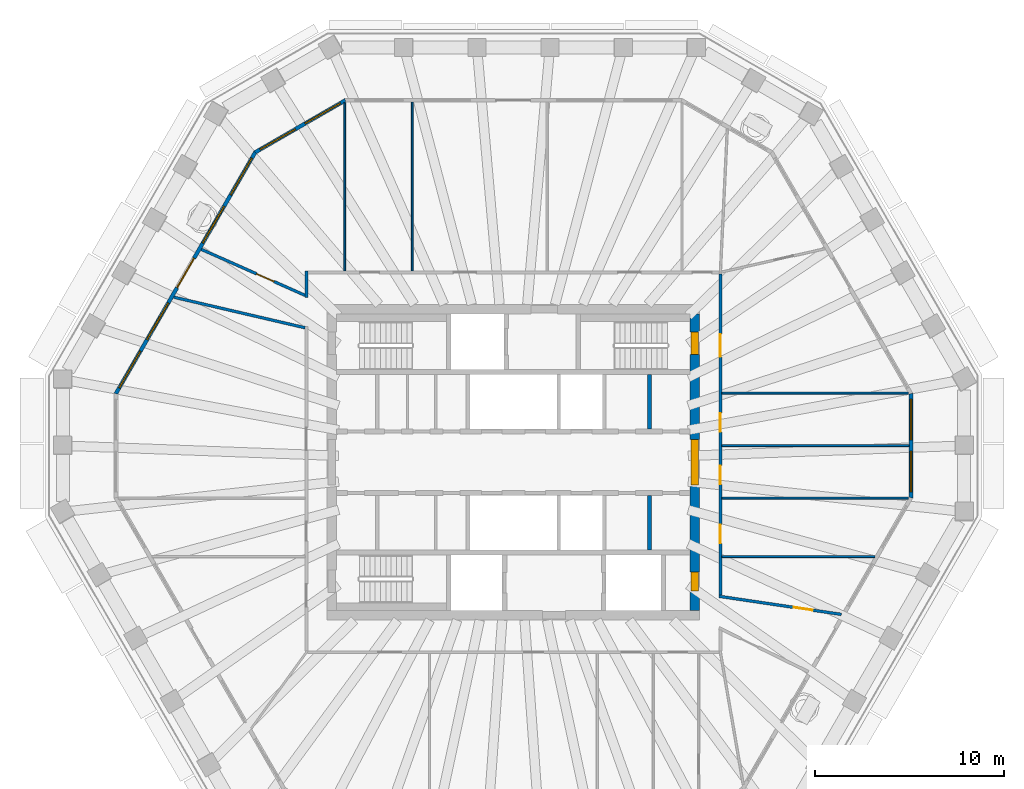
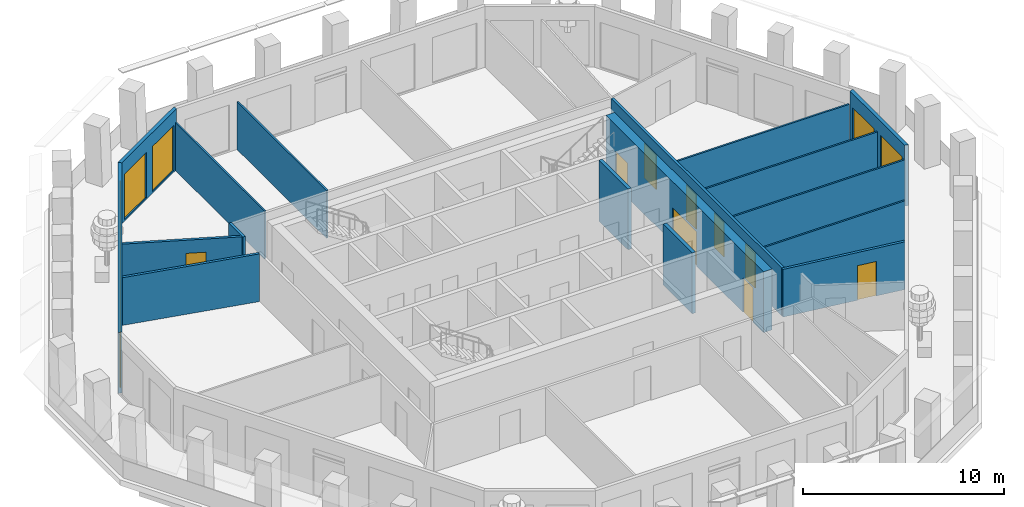
# One storey, part 6 of 12: 17 walls, 10 doors, 9 windows, 19 openings.
"""IFC4 building model written with IfcOpenShell, lengths in metres."""

import ifcopenshell
import ifcopenshell.guid

model = None  # the IFC model being written
_history = None  # IfcOwnerHistory: only IFC2X3 demands one
_inside = {}  # id of a spatial element -> (the spatial element, [elements in it])
_under = {}  # id of a project, library or spatial element -> (it, [spatial elements below it])
_declared = {}  # id of a project -> (the project, [libraries it declares])
_typed = {}  # id of a type object -> (the type object, [elements of that type])
_made_of = {}  # id of a material, layer set ... -> (it, [elements and type objects made of it])


def new_model(schema):
    """Start an empty IFC model of exactly this schema.

    Asked for "IFC4X3", IfcOpenShell would pick the latest addendum, in which some entities
    have other attributes; the version numbers below select the first issue.
    IFC2X3 requires an IfcOwnerHistory on every rooted entity: one is made here for all.
    """
    global model, _history
    if schema == "IFC4X3":
        model = ifcopenshell.file(schema_version=(4, 3, 0, 0))
    else:
        model = ifcopenshell.file(schema=schema)
    _inside.clear()
    _under.clear()
    _declared.clear()
    _typed.clear()
    _made_of.clear()
    _history = None
    if model.schema == "IFC2X3":
        org = make("IfcOrganization", Name="unknown")
        user = make(
            "IfcPersonAndOrganization",
            ThePerson=make("IfcPerson", FamilyName="unknown"),
            TheOrganization=org,
        )
        app = make(
            "IfcApplication",
            ApplicationDeveloper=org,
            Version="unknown",
            ApplicationFullName="unknown",
            ApplicationIdentifier="unknown",
        )
        _history = make(
            "IfcOwnerHistory",
            OwningUser=user,
            OwningApplication=app,
            ChangeAction="ADDED",
            CreationDate=0,
        )
    return model


def make(cls, **values):
    """One entity of the class cls with the attributes given. An attribute that is None is left unset."""
    return model.create_entity(
        cls, **{name: value for name, value in values.items() if value is not None}
    )


def rooted(cls, **values):
    """An entity with a GlobalId (a new one), such as an element, a storey or a relation."""
    return make(cls, GlobalId=ifcopenshell.guid.new(), OwnerHistory=_history, **values)


def si_unit(unit_type, name, prefix=None):
    """IfcSIUnit, for example si_unit("LENGTHUNIT", "METRE", prefix="MILLI")."""
    return make("IfcSIUnit", UnitType=unit_type, Prefix=prefix, Name=name)


def assignment(units):
    """IfcUnitAssignment: the units of a project."""
    return None if units is None else make("IfcUnitAssignment", Units=units)


def point(xyz):
    """IfcCartesianPoint."""
    return None if xyz is None else make("IfcCartesianPoint", Coordinates=xyz)


def direction(xyz):
    """IfcDirection."""
    return None if xyz is None else make("IfcDirection", DirectionRatios=xyz)


def frame(location, z_axis=None, x_axis=None):
    """IfcAxis2Placement3D, a coordinate frame: its origin and axes. An axis left out is left unset."""
    return make(
        "IfcAxis2Placement3D",
        Location=point(location),
        Axis=direction(z_axis),
        RefDirection=direction(x_axis),
    )


def frame_2d(location, x_axis=None):
    """IfcAxis2Placement2D, a coordinate frame in the plane: its origin and x axis."""
    return make(
        "IfcAxis2Placement2D", Location=point(location), RefDirection=direction(x_axis)
    )


def origin():
    """The frame at (0, 0, 0) with its axes left unset."""
    return frame((0.0, 0.0, 0.0))


def place(relative_to, where):
    """IfcLocalPlacement: puts the frame where relative to a parent placement (None: the world)."""
    return make(
        "IfcLocalPlacement", PlacementRelTo=relative_to, RelativePlacement=where
    )


def context(
    kind, dimensions, precision=None, world=None, true_north=None, identifier=None
):
    """IfcGeometricRepresentationContext, for example the 3D "Model" context."""
    return make(
        "IfcGeometricRepresentationContext",
        ContextIdentifier=identifier,
        ContextType=kind,
        CoordinateSpaceDimension=dimensions,
        Precision=precision,
        WorldCoordinateSystem=world,
        TrueNorth=true_north,
    )


def subcontext(parent, identifier, kind, view, scale=None):
    """IfcGeometricRepresentationSubContext, for example "Body" below "Model"."""
    return make(
        "IfcGeometricRepresentationSubContext",
        ContextIdentifier=identifier,
        ContextType=kind,
        ParentContext=parent,
        TargetScale=scale,
        TargetView=view,
    )


def project(units=None, contexts=None):
    """IfcProject with its units and contexts."""
    return rooted(
        "IfcProject",
        Name="project",
        RepresentationContexts=contexts,
        UnitsInContext=assignment(units),
    )


def spatial(cls, under=None, at=None, **own):
    """A site, building, storey or space (cls), placed at a placement, below another one or the project."""
    s = rooted(cls, ObjectPlacement=at, **own)
    if under is not None:
        _under.setdefault(under.id(), (under, []))[1].append(s)
    return s


def polyline(points):
    """IfcPolyline through the points."""
    return make("IfcPolyline", Points=[point(p) for p in points])


def profile(cls, at=None, kind="AREA", **sizes):
    """A parametric profile (cls). Its sizes go by their IFC names, for example OverallWidth=200.0."""
    return make(cls, ProfileType=kind, Position=at, **sizes)


def rectangle(**sizes):
    """IfcRectangleProfileDef."""
    return profile("IfcRectangleProfileDef", **sizes)


def outline(outer, holes=None, kind="AREA"):
    """IfcArbitraryClosedProfileDef: a profile drawn as a closed curve; with holes, ...WithVoids."""
    if holes is None:
        return make("IfcArbitraryClosedProfileDef", ProfileType=kind, OuterCurve=outer)
    return make(
        "IfcArbitraryProfileDefWithVoids",
        ProfileType=kind,
        OuterCurve=outer,
        InnerCurves=holes,
    )


def extrude(swept, where, along, depth):
    """IfcExtrudedAreaSolid: the profile swept, set in the frame where, extruded along a direction by depth."""
    return make(
        "IfcExtrudedAreaSolid",
        SweptArea=swept,
        Position=where,
        ExtrudedDirection=direction(along),
        Depth=depth,
    )


def shape(context_of_items, identifier, shape_type, items):
    """IfcShapeRepresentation: the items that make up one representation, for example the "Body"."""
    return make(
        "IfcShapeRepresentation",
        ContextOfItems=context_of_items,
        RepresentationIdentifier=identifier,
        RepresentationType=shape_type,
        Items=items,
    )


def material(Name=None, Category=None):
    """IfcMaterial."""
    return make("IfcMaterial", Name=Name, Category=Category)


def layer(
    of_material, thickness, ventilated=None, Name=None, Category=None, Priority=None
):
    """IfcMaterialLayer: one layer of a wall or slab, of a material (None: an air gap)."""
    return make(
        "IfcMaterialLayer",
        Material=of_material,
        LayerThickness=thickness,
        IsVentilated=ventilated,
        Name=Name,
        Category=Category,
        Priority=Priority,
    )


def layer_set(layers, Name=None):
    """IfcMaterialLayerSet."""
    return make("IfcMaterialLayerSet", MaterialLayers=layers, LayerSetName=Name)


def made_of(thing, what):
    """Note that an element or type object is made of a material, layer set ...; save() writes the relation."""
    if what is not None:
        _made_of.setdefault(what.id(), (what, []))[1].append(thing)
    return thing


def type_object(cls, material=None, **own):
    """A type object (cls), such as IfcWallType, which elements share."""
    return made_of(rooted(cls, **own), material)


def element(
    cls,
    number,
    at=None,
    inside=None,
    cuts=None,
    type_object=None,
    material=None,
    context=None,
    identifier="Body",
    shape_type=None,
    held_by="IfcProductDefinitionShape",
    body=None,
    shapes=None,
    **own,
):
    """One element of the class cls, such as IfcWall. Its Tag is "e" and its number.

    at: its placement. inside: the storey or other place that contains it. cuts: it is an
    opening in that element (IfcRelVoidsElement). A single representation is given by context,
    identifier, shape_type and body (its items); several are given by shapes. held_by: the class
    of the entity that holds the representations. save() writes the other relations.
    """
    e = rooted(cls, Tag="e%d" % number, ObjectPlacement=at, **own)
    if body is not None:
        shapes = [shape(context, identifier, shape_type, body)]
    if shapes is not None:
        e.Representation = make(held_by, Representations=shapes)
    if inside is not None:
        _inside.setdefault(inside.id(), (inside, []))[1].append(e)
    if cuts is not None:
        rooted(
            "IfcRelVoidsElement", RelatingBuildingElement=cuts, RelatedOpeningElement=e
        )
    if type_object is not None:
        _typed.setdefault(type_object.id(), (type_object, []))[1].append(e)
    return made_of(e, material)


def fill(opening, filler):
    """IfcRelFillsElement: the door or window that sits in an opening."""
    return rooted(
        "IfcRelFillsElement",
        RelatingOpeningElement=opening,
        RelatedBuildingElement=filler,
    )


def aggregate(whole, parts):
    """IfcRelAggregates: a whole, such as a stair, and the parts it consists of."""
    return rooted("IfcRelAggregates", RelatingObject=whole, RelatedObjects=parts)


def save(model, path):
    """Write the relations noted so far, then the file.

    IfcRelAggregates (storeys below a building ...), IfcRelContainedInSpatialStructure (elements
    in a storey), IfcRelDefinesByType, IfcRelAssociatesMaterial and IfcRelDeclares: one each for
    every whole, place, type object, material and project.
    """
    for whole, parts in _under.values():
        aggregate(whole, parts)
    for where, things in _inside.values():
        rooted(
            "IfcRelContainedInSpatialStructure",
            RelatedElements=things,
            RelatingStructure=where,
        )
    for kind, things in _typed.values():
        rooted("IfcRelDefinesByType", RelatedObjects=things, RelatingType=kind)
    for what, things in _made_of.values():
        rooted("IfcRelAssociatesMaterial", RelatedObjects=things, RelatingMaterial=what)
    for by, libraries in _declared.values():
        rooted("IfcRelDeclares", RelatingContext=by, RelatedDefinitions=libraries)
    model.write(path)


model = new_model("IFC4")

# Units and contexts
model_context = context("Model", 3, precision=1e-05, world=origin(), true_north=direction((0.0, 1.0)))
body_context = subcontext(model_context, "Body", "Model", "MODEL_VIEW")
ifc_project = project(units=[si_unit("LENGTHUNIT", "METRE"), si_unit("AREAUNIT", "SQUARE_METRE"), si_unit("VOLUMEUNIT", "CUBIC_METRE"), si_unit("PLANEANGLEUNIT", "RADIAN"), si_unit("MASSUNIT", "GRAM", prefix="KILO")], contexts=[model_context])

# Site, building, storey
site_placement = place(None, origin())
site = spatial("IfcSite", under=ifc_project, at=site_placement, CompositionType="ELEMENT")
building_placement = place(site_placement, origin())
building = spatial("IfcBuilding", under=site, at=building_placement, Name="Frailejon Research Tower", CompositionType="ELEMENT")
storey_placement = place(building_placement, frame((0.0, 0.0, 291.0)))
storey = spatial("IfcBuildingStorey", under=building, at=storey_placement, Name="L64", CompositionType="ELEMENT", Elevation=291.0)

# Wall, openings, doors
ifc_material_1 = material(Name="Concrete C50/60", Category="concrete")
ifc_layer_1 = layer(ifc_material_1, 0.5)
ifc_layer_set_1 = layer_set([ifc_layer_1], Name="Core shear wall 500 C50/60")
wall_type_1 = type_object("IfcWallType", Name="Core shear wall 500 C50/60", PredefinedType="SHEAR", material=ifc_layer_set_1)
wall_1_placement = place(storey_placement, frame((9.60009765625, -7.85009765625, 0.0), z_axis=(0.0, 0.0, 1.0), x_axis=(0.0, 1.0, 0.0)))
wall_1 = element("IfcWall", 1, at=wall_1_placement, inside=storey, type_object=wall_type_1, Name="Core shear wall", PredefinedType="SHEAR", context=body_context, shape_type="SweptSolid", body=[
    extrude(rectangle(XDim=15.7001953125, YDim=0.5, at=frame_2d((7.85009765625, 0.0))), origin(), (0.0, 0.0, 1.0), 3.699951171875),
])
opening_1_placement = place(wall_1_placement, frame((6.64990234375, 0.0, 0.0)))
opening_1 = element("IfcOpeningElement", 2, at=opening_1_placement, cuts=wall_1, Name="Opening D2", PredefinedType="OPENING", context=body_context, shape_type="SweptSolid", body=[
    extrude(rectangle(XDim=2.39990234375, YDim=2.10009765625, at=frame_2d((1.199951171875, 1.050048828125))), frame((0.0, 0.260009765625, 0.0), z_axis=(0.0, -1.0, 0.0), x_axis=(1.0, 0.0, 0.0)), (0.0, 0.0, 1.0), 0.52001953125),
])
opening_2_placement = place(wall_1_placement, frame((13.550048828125, 0.0, 0.0)))
opening_2 = element("IfcOpeningElement", 3, at=opening_2_placement, cuts=wall_1, Name="Opening D1", PredefinedType="OPENING", context=body_context, shape_type="SweptSolid", body=[
    extrude(rectangle(XDim=1.199951171875, YDim=2.10009765625, at=frame_2d((0.60009765625, 1.050048828125))), frame((0.0, 0.260009765625, 0.0), z_axis=(0.0, -1.0, 0.0), x_axis=(1.0, 0.0, 0.0)), (0.0, 0.0, 1.0), 0.52001953125),
])
opening_3_placement = place(wall_1_placement, frame((1.050048828125, 0.0, 0.0)))
opening_3 = element("IfcOpeningElement", 4, at=opening_3_placement, cuts=wall_1, Name="Opening D4", PredefinedType="OPENING", context=body_context, shape_type="SweptSolid", body=[
    extrude(rectangle(XDim=1.0, YDim=2.10009765625, at=frame_2d((0.5, 1.050048828125))), frame((0.0, 0.260009765625, 0.0), z_axis=(0.0, -1.0, 0.0), x_axis=(1.0, 0.0, 0.0)), (0.0, 0.0, 1.0), 0.52001953125),
])
ifc_material_2 = material(Name="Steel", Category="steel")
door_type_1 = type_object("IfcDoorType", Name="Lobby double door", OperationType="DOUBLE_DOOR_SINGLE_SWING", PredefinedType="DOOR", material=ifc_material_2)
door_1_placement = place(opening_1_placement, origin())
door_1 = element("IfcDoor", 5, at=door_1_placement, inside=storey, type_object=door_type_1, Name="Lobby door", OperationType="DOUBLE_DOOR_SINGLE_SWING", OverallHeight=2.10009765625, OverallWidth=2.39990234375, PredefinedType="DOOR", context=body_context, shape_type="SweptSolid", body=[
    extrude(rectangle(XDim=2.39990234375, YDim=2.10009765625, at=frame_2d((1.199951171875, 1.050048828125))), frame((0.0, 0.199951171875, 0.0), z_axis=(0.0, -1.0, 0.0), x_axis=(1.0, 0.0, 0.0)), (0.0, 0.0, 1.0), 0.39990234375),
])
fill(opening_1, door_1)
ifc_material_3 = material(Name="Steel", Category="steel")
door_type_2 = type_object("IfcDoorType", Name="Service door", OperationType="SINGLE_SWING_LEFT", PredefinedType="DOOR", material=ifc_material_3)
door_2_placement = place(opening_3_placement, origin())
door_2 = element("IfcDoor", 6, at=door_2_placement, inside=storey, type_object=door_type_2, Name="Riser door", OperationType="SINGLE_SWING_RIGHT", OverallHeight=2.10009765625, OverallWidth=1.0, PredefinedType="DOOR", context=body_context, shape_type="SweptSolid", body=[
    extrude(rectangle(XDim=1.0, YDim=2.10009765625, at=frame_2d((0.5, 1.050048828125))), frame((0.0, 0.199951171875, 0.0), z_axis=(0.0, -1.0, 0.0), x_axis=(1.0, 0.0, 0.0)), (0.0, 0.0, 1.0), 0.39990234375),
])
fill(opening_3, door_2)
ifc_material_4 = material(Name="Steel", Category="steel")
door_type_3 = type_object("IfcDoorType", Name="Stair door", OperationType="SINGLE_SWING_LEFT", PredefinedType="DOOR", material=ifc_material_4)
door_3_placement = place(opening_2_placement, origin())
door_3 = element("IfcDoor", 7, at=door_3_placement, inside=storey, type_object=door_type_3, Name="Stair door ST3", OperationType="SINGLE_SWING_LEFT", OverallHeight=2.10009765625, OverallWidth=1.199951171875, PredefinedType="DOOR", context=body_context, shape_type="SweptSolid", body=[
    extrude(rectangle(XDim=1.199951171875, YDim=2.10009765625, at=frame_2d((0.60009765625, 1.050048828125))), frame((0.0, 0.199951171875, 0.0), z_axis=(0.0, -1.0, 0.0), x_axis=(1.0, 0.0, 0.0)), (0.0, 0.0, 1.0), 0.39990234375),
])
fill(opening_2, door_3)

# Wall, opening, door
ifc_material_5 = material(Name="Gypsum board and masonry partition", Category="masonry")
ifc_layer_2 = layer(ifc_material_5, 0.14990234375)
ifc_layer_set_2 = layer_set([ifc_layer_2], Name="Corridor wall EI 60, gypsum on steel studs 150")
wall_type_2 = type_object("IfcWallType", Name="Corridor wall EI 60, gypsum on steel studs 150", PredefinedType="PARTITIONING", material=ifc_layer_set_2)
wall_2_placement = place(storey_placement, frame((-16.509521484375, 11.264892578125, 0.0), z_axis=(0.0, 0.0, 1.0), x_axis=(0.914173229864, -0.405323704958, 0.0)))
wall_2 = element("IfcWall", 8, at=wall_2_placement, inside=storey, type_object=wall_type_2, Name="T:IW:L64:001", PredefinedType="PARTITIONING", context=body_context, shape_type="SweptSolid", body=[
    extrude(rectangle(XDim=6.006591796875, YDim=0.14990234375, at=frame_2d((3.00341796875, 0.0))), origin(), (0.0, 0.0, 1.0), 2.89990234375),
])
opening_4_placement = place(wall_2_placement, frame((3.19775390625, 0.0, 0.0)))
opening_4 = element("IfcOpeningElement", 9, at=opening_4_placement, cuts=wall_2, Name="Opening D2232", PredefinedType="OPENING", context=body_context, shape_type="SweptSolid", body=[
    extrude(rectangle(XDim=1.0, YDim=2.10009765625, at=frame_2d((0.5, 1.050048828125))), frame((0.0, 0.0849609375, 0.0), z_axis=(0.0, -1.0, 0.0), x_axis=(1.0, 0.0, 0.0)), (0.0, 0.0, 1.0), 0.169921875),
])
ifc_material_6 = material(Name="Timber door leaf", Category="wood")
door_type_4 = type_object("IfcDoorType", Name="Door single leaf, timber, steel frame 1000", OperationType="NOTDEFINED", PredefinedType="DOOR", material=ifc_material_6)
door_4_placement = place(opening_4_placement, origin())
door_4 = element("IfcDoor", 10, at=door_4_placement, inside=storey, type_object=door_type_4, Name="D2232", OperationType="SINGLE_SWING_LEFT", OverallHeight=2.10009765625, OverallWidth=1.0, PredefinedType="DOOR", context=body_context, shape_type="SweptSolid", body=[
    extrude(rectangle(XDim=1.0, YDim=2.10009765625, at=frame_2d((0.5, 1.050048828125))), frame((0.0, 0.02490234375, 0.0), z_axis=(0.0, -1.0, 0.0), x_axis=(1.0, 0.0, 0.0)), (0.0, 0.0, 1.0), 0.050048828125),
])
fill(opening_4, door_4)

# Wall
wall_3_placement = place(storey_placement, frame((-17.96923828125, 8.736083984375, 0.0), z_axis=(0.0, 0.0, 1.0), x_axis=(0.973892691018, -0.227008868509, 0.0)))
element("IfcWall", 11, at=wall_3_placement, inside=storey, type_object=wall_type_2, Name="T:IW:L64:002", PredefinedType="PARTITIONING", context=body_context, shape_type="SweptSolid", body=[
    extrude(rectangle(XDim=7.132568359375, YDim=0.14990234375, at=frame_2d((3.56640625, 0.0))), origin(), (0.0, 0.0, 1.0), 2.89990234375),
])

# Wall, openings, doors
wall_4_placement = place(storey_placement, frame((10.949951171875, -7.02490234375, 0.0), z_axis=(0.0, 0.0, 1.0), x_axis=(0.0, 1.0, 0.0)))
wall_4 = element("IfcWall", 12, at=wall_4_placement, inside=storey, type_object=wall_type_2, Name="T:IW:L64:004", PredefinedType="PARTITIONING", context=body_context, shape_type="SweptSolid", body=[
    extrude(rectangle(XDim=17.0, YDim=0.14990234375, at=frame_2d((8.5, 0.0))), origin(), (0.0, 0.0, 1.0), 2.89990234375),
])
opening_5_placement = place(wall_4_placement, frame((8.63232421875, 0.0, 0.0)))
opening_5 = element("IfcOpeningElement", 13, at=opening_5_placement, cuts=wall_4, Name="Opening D2225", PredefinedType="OPENING", context=body_context, shape_type="SweptSolid", body=[
    extrude(rectangle(XDim=1.0, YDim=2.10009765625, at=frame_2d((0.5, 1.050048828125))), frame((0.0, 0.0849609375, 0.0), z_axis=(0.0, -1.0, 0.0), x_axis=(1.0, 0.0, 0.0)), (0.0, 0.0, 1.0), 0.169921875),
])
opening_6_placement = place(wall_4_placement, frame((12.60546875, 0.0, 0.0)))
opening_6 = element("IfcOpeningElement", 14, at=opening_6_placement, cuts=wall_4, Name="Opening D2226", PredefinedType="OPENING", context=body_context, shape_type="SweptSolid", body=[
    extrude(rectangle(XDim=1.199951171875, YDim=2.10009765625, at=frame_2d((0.60009765625, 1.050048828125))), frame((0.0, 0.0849609375, 0.0), z_axis=(0.0, -1.0, 0.0), x_axis=(1.0, 0.0, 0.0)), (0.0, 0.0, 1.0), 0.169921875),
])
opening_7_placement = place(wall_4_placement, frame((2.7333984375, 0.0, 0.0)))
opening_7 = element("IfcOpeningElement", 15, at=opening_7_placement, cuts=wall_4, Name="Opening D2243", PredefinedType="OPENING", context=body_context, shape_type="SweptSolid", body=[
    extrude(rectangle(XDim=1.0, YDim=2.10009765625, at=frame_2d((0.5, 1.050048828125))), frame((0.0, 0.0849609375, 0.0), z_axis=(0.0, -1.0, 0.0), x_axis=(1.0, 0.0, 0.0)), (0.0, 0.0, 1.0), 0.169921875),
])
opening_8_placement = place(wall_4_placement, frame((5.85400390625, 0.0, 0.0)))
opening_8 = element("IfcOpeningElement", 16, at=opening_8_placement, cuts=wall_4, Name="Opening D2244", PredefinedType="OPENING", context=body_context, shape_type="SweptSolid", body=[
    extrude(rectangle(XDim=1.0, YDim=2.10009765625, at=frame_2d((0.5, 1.050048828125))), frame((0.0, 0.0849609375, 0.0), z_axis=(0.0, -1.0, 0.0), x_axis=(1.0, 0.0, 0.0)), (0.0, 0.0, 1.0), 0.169921875),
])
door_5_placement = place(opening_5_placement, origin())
door_5 = element("IfcDoor", 17, at=door_5_placement, inside=storey, type_object=door_type_4, Name="D2225", OperationType="SINGLE_SWING_LEFT", OverallHeight=2.10009765625, OverallWidth=1.0, PredefinedType="DOOR", context=body_context, shape_type="SweptSolid", body=[
    extrude(rectangle(XDim=1.0, YDim=2.10009765625, at=frame_2d((0.5, 1.050048828125))), frame((0.0, 0.02490234375, 0.0), z_axis=(0.0, -1.0, 0.0), x_axis=(1.0, 0.0, 0.0)), (0.0, 0.0, 1.0), 0.050048828125),
])
fill(opening_5, door_5)
door_6_placement = place(opening_7_placement, origin())
door_6 = element("IfcDoor", 18, at=door_6_placement, inside=storey, type_object=door_type_4, Name="D2243", OperationType="SINGLE_SWING_RIGHT", OverallHeight=2.10009765625, OverallWidth=1.0, PredefinedType="DOOR", context=body_context, shape_type="SweptSolid", body=[
    extrude(rectangle(XDim=1.0, YDim=2.10009765625, at=frame_2d((0.5, 1.050048828125))), frame((0.0, 0.02490234375, 0.0), z_axis=(0.0, -1.0, 0.0), x_axis=(1.0, 0.0, 0.0)), (0.0, 0.0, 1.0), 0.050048828125),
])
fill(opening_7, door_6)
door_7_placement = place(opening_8_placement, origin())
door_7 = element("IfcDoor", 19, at=door_7_placement, inside=storey, type_object=door_type_4, Name="D2244", OperationType="SINGLE_SWING_RIGHT", OverallHeight=2.10009765625, OverallWidth=1.0, PredefinedType="DOOR", context=body_context, shape_type="SweptSolid", body=[
    extrude(rectangle(XDim=1.0, YDim=2.10009765625, at=frame_2d((0.5, 1.050048828125))), frame((0.0, 0.02490234375, 0.0), z_axis=(0.0, -1.0, 0.0), x_axis=(1.0, 0.0, 0.0)), (0.0, 0.0, 1.0), 0.050048828125),
])
fill(opening_8, door_7)
ifc_material_7 = material(Name="Timber door leaf", Category="wood")
door_type_5 = type_object("IfcDoorType", Name="Door single leaf, timber, steel frame 1200", OperationType="NOTDEFINED", PredefinedType="DOOR", material=ifc_material_7)
door_8_placement = place(opening_6_placement, origin())
door_8 = element("IfcDoor", 20, at=door_8_placement, inside=storey, type_object=door_type_5, Name="D2226", OperationType="DOUBLE_DOOR_SINGLE_SWING", OverallHeight=2.10009765625, OverallWidth=1.199951171875, PredefinedType="DOOR", context=body_context, shape_type="SweptSolid", body=[
    extrude(rectangle(XDim=1.199951171875, YDim=2.10009765625, at=frame_2d((0.60009765625, 1.050048828125))), frame((0.0, 0.02490234375, 0.0), z_axis=(0.0, -1.0, 0.0), x_axis=(1.0, 0.0, 0.0)), (0.0, 0.0, 1.0), 0.050048828125),
])
fill(opening_6, door_8)

# Wall
wall_5_placement = place(storey_placement, frame((-10.949951171875, 8.72509765625, 0.0), z_axis=(0.0, 0.0, 1.0), x_axis=(0.0, 1.0, 0.0)))
element("IfcWall", 21, at=wall_5_placement, inside=storey, type_object=wall_type_2, Name="T:IW:L64:007", PredefinedType="PARTITIONING", context=body_context, shape_type="SweptSolid", body=[
    extrude(rectangle(XDim=1.39990234375, YDim=0.14990234375, at=frame_2d((0.699951171875, 0.0))), origin(), (0.0, 0.0, 1.0), 2.89990234375),
])

# Wall, opening, door
wall_6_placement = place(storey_placement, frame((10.875732421875, -7.089111328125, 0.0), z_axis=(0.0, 0.0, 1.0), x_axis=(0.989208268324, -0.146516217118, 0.0)))
wall_6 = element("IfcWall", 22, at=wall_6_placement, inside=storey, type_object=wall_type_2, Name="T:IW:L64:010", PredefinedType="PARTITIONING", context=body_context, shape_type="SweptSolid", body=[
    extrude(rectangle(XDim=6.545166015625, YDim=0.14990234375, at=frame_2d((3.2724609375, 0.0))), origin(), (0.0, 0.0, 1.0), 2.89990234375),
])
opening_9_placement = place(wall_6_placement, frame((4.002685546875, 0.0, 0.0)))
opening_9 = element("IfcOpeningElement", 23, at=opening_9_placement, cuts=wall_6, Name="Opening D2242", PredefinedType="OPENING", context=body_context, shape_type="SweptSolid", body=[
    extrude(rectangle(XDim=1.0, YDim=2.10009765625, at=frame_2d((0.5, 1.050048828125))), frame((0.0, 0.0849609375, 0.0), z_axis=(0.0, -1.0, 0.0), x_axis=(1.0, 0.0, 0.0)), (0.0, 0.0, 1.0), 0.169921875),
])
door_9_placement = place(opening_9_placement, origin())
door_9 = element("IfcDoor", 24, at=door_9_placement, inside=storey, type_object=door_type_4, Name="D2242", OperationType="SINGLE_SWING_LEFT", OverallHeight=2.10009765625, OverallWidth=1.0, PredefinedType="DOOR", context=body_context, shape_type="SweptSolid", body=[
    extrude(rectangle(XDim=1.0, YDim=2.10009765625, at=frame_2d((0.5, 1.050048828125))), frame((0.0, 0.02490234375, 0.0), z_axis=(0.0, -1.0, 0.0), x_axis=(1.0, 0.0, 0.0)), (0.0, 0.0, 1.0), 0.050048828125),
])
fill(opening_9, door_9)

# Walls
ifc_material_8 = material(Name="Gypsum board and masonry partition", Category="masonry")
ifc_layer_3 = layer(ifc_material_8, 0.10009765625)
ifc_layer_set_3 = layer_set([ifc_layer_3], Name="Partition, gypsum on steel studs 100")
wall_type_3 = type_object("IfcWallType", Name="Partition, gypsum on steel studs 100", PredefinedType="PARTITIONING", material=ifc_layer_set_3)
wall_7_placement = place(storey_placement, frame((11.02490234375, 3.658447265625, 0.0), z_axis=(0.0, 0.0, 1.0), x_axis=(1.0, 0.0, 0.0)))
element("IfcWall", 25, at=wall_7_placement, inside=storey, type_object=wall_type_3, Name="T:IW:L64:011", PredefinedType="PARTITIONING", context=body_context, shape_type="SweptSolid", body=[
    extrude(rectangle(XDim=9.8759765625, YDim=0.10009765625, at=frame_2d((4.93798828125, 0.0))), origin(), (0.0, 0.0, 1.0), 2.89990234375),
])
wall_8_placement = place(storey_placement, frame((11.02490234375, 0.8798828125, 0.0), z_axis=(0.0, 0.0, 1.0), x_axis=(1.0, 0.0, 0.0)))
element("IfcWall", 26, at=wall_8_placement, inside=storey, type_object=wall_type_3, Name="T:IW:L64:012", PredefinedType="PARTITIONING", context=body_context, shape_type="SweptSolid", body=[
    extrude(rectangle(XDim=9.906982421875, YDim=0.10009765625, at=frame_2d((4.95361328125, 0.0))), origin(), (0.0, 0.0, 1.0), 2.89990234375),
])
wall_9_placement = place(storey_placement, frame((-5.35302734375, 10.125, 0.0), z_axis=(0.0, 0.0, 1.0), x_axis=(0.0, 1.0, 0.0)))
element("IfcWall", 27, at=wall_9_placement, inside=storey, type_object=wall_type_3, Name="T:IW:L64:017", PredefinedType="PARTITIONING", context=body_context, shape_type="SweptSolid", body=[
    extrude(rectangle(XDim=8.925048828125, YDim=0.10009765625, at=frame_2d((4.46240234375, 0.0))), origin(), (0.0, 0.0, 1.0), 2.89990234375),
])
wall_10_placement = place(storey_placement, frame((-8.921630859375, 10.125, 0.0), z_axis=(0.0, 0.0, 1.0), x_axis=(0.0, 1.0, 0.0)))
element("IfcWall", 28, at=wall_10_placement, inside=storey, type_object=wall_type_3, Name="T:IW:L64:018", PredefinedType="PARTITIONING", context=body_context, shape_type="SweptSolid", body=[
    extrude(rectangle(XDim=8.89404296875, YDim=0.10009765625, at=frame_2d((4.447021484375, 0.0))), origin(), (0.0, 0.0, 1.0), 2.89990234375),
])
wall_11_placement = place(storey_placement, frame((11.02490234375, -1.898681640625, 0.0), z_axis=(0.0, 0.0, 1.0), x_axis=(1.0, 0.0, 0.0)))
element("IfcWall", 29, at=wall_11_placement, inside=storey, type_object=wall_type_3, Name="T:IW:L64:020", PredefinedType="PARTITIONING", context=body_context, shape_type="SweptSolid", body=[
    extrude(rectangle(XDim=9.8759765625, YDim=0.10009765625, at=frame_2d((4.93798828125, 0.0))), origin(), (0.0, 0.0, 1.0), 2.89990234375),
])
wall_12_placement = place(storey_placement, frame((11.02490234375, -4.989013671875, 0.0), z_axis=(0.0, 0.0, 1.0), x_axis=(1.0, 0.0, 0.0)))
element("IfcWall", 30, at=wall_12_placement, inside=storey, type_object=wall_type_3, Name="T:IW:L64:022", PredefinedType="PARTITIONING", context=body_context, shape_type="SweptSolid", body=[
    extrude(rectangle(XDim=8.091796875, YDim=0.10009765625, at=frame_2d((4.0458984375, 0.0))), origin(), (0.0, 0.0, 1.0), 2.89990234375),
])
ifc_material_9 = material(Name="Concrete C50/60", Category="concrete")
ifc_layer_4 = layer(ifc_material_9, 0.199951171875)
ifc_layer_set_4 = layer_set([ifc_layer_4], Name="Shaft wall 200 C50/60")
wall_type_4 = type_object("IfcWallType", Name="Shaft wall 200 C50/60", PredefinedType="SOLIDWALL", material=ifc_layer_set_4)
for number, where, z_axis, x_axis, name in (
    (31, (7.199951171875, 1.75, 0.0), (0.0, 0.0, 1.0), (0.0, 1.0, 0.0), "Shaft wall"),
    (32, (7.199951171875, -4.64990234375, 0.0), (0.0, 0.0, 1.0), (0.0, 1.0, 0.0), "Shaft wall"),
):
    element("IfcWall", number, at=place(storey_placement, frame(where, z_axis=z_axis, x_axis=x_axis)), inside=storey, type_object=wall_type_4, Name=name, PredefinedType="SOLIDWALL", context=body_context, shape_type="SweptSolid", body=[
        extrude(rectangle(XDim=2.89990234375, YDim=0.199951171875, at=frame_2d((1.449951171875, 0.0))), origin(), (0.0, 0.0, 1.0), 3.699951171875),
    ])

# Wall, openings, windows
ifc_material_10 = material(Name="Concrete C40/50 precast window wall panel", Category="concrete")
ifc_layer_5 = layer(ifc_material_10, 0.199951171875)
ifc_layer_set_5 = layer_set([ifc_layer_5], Name="Window wall 200")
wall_type_5 = type_object("IfcWallType", Name="Window wall 200", PredefinedType="SOLIDWALL", material=ifc_layer_set_5)
wall_13_placement = place(storey_placement, frame((21.03173828125, -1.871826171875, 0.0), z_axis=(0.0, 0.0, 1.0), x_axis=(0.0, 1.0, 0.0)))
wall_13 = element("IfcWall", 33, at=wall_13_placement, inside=storey, type_object=wall_type_5, Name="Exterior wall L64", PredefinedType="SOLIDWALL", context=body_context, shape_type="SweptSolid", body=[
    extrude(outline(polyline([(-0.02685546875, -0.10009765625), (1.08447265625, -0.10009765625), (2.196044921875, -0.10009765625), (3.307373046875, -0.10009765625), (4.4189453125, -0.10009765625), (5.5302734375, -0.10009765625), (5.4765625, 0.10009765625), (4.38671875, 0.10009765625), (3.296630859375, 0.10009765625), (2.206787109375, 0.10009765625), (1.11669921875, 0.10009765625), (0.02685546875, 0.10009765625), (-0.02685546875, -0.10009765625)])), origin(), (0.0, 0.0, 1.0), 3.699951171875),
])
opening_10_placement = place(wall_13_placement, frame((0.30078125, 0.0, 0.10009765625)))
opening_10 = element("IfcOpeningElement", 34, at=opening_10_placement, cuts=wall_13, Name="Opening W22", PredefinedType="OPENING", context=body_context, shape_type="SweptSolid", body=[
    extrude(rectangle(XDim=2.14990234375, YDim=2.75, at=frame_2d((1.074951171875, 1.375))), frame((0.0, 0.10986328125, 0.0), z_axis=(0.0, -1.0, 0.0), x_axis=(1.0, 0.0, 0.0)), (0.0, 0.0, 1.0), 0.219970703125),
])
opening_11_placement = place(wall_13_placement, frame((3.052490234375, 0.0, 0.10009765625)))
opening_11 = element("IfcOpeningElement", 35, at=opening_11_placement, cuts=wall_13, Name="Opening W22", PredefinedType="OPENING", context=body_context, shape_type="SweptSolid", body=[
    extrude(rectangle(XDim=2.14990234375, YDim=2.75, at=frame_2d((1.074951171875, 1.375))), frame((0.0, 0.10986328125, 0.0), z_axis=(0.0, -1.0, 0.0), x_axis=(1.0, 0.0, 0.0)), (0.0, 0.0, 1.0), 0.219970703125),
])
ifc_material_11 = material(Name="Aluminium framed double glazing", Category="aluminium")
window_type_1 = type_object("IfcWindowType", Name="Window 2150x2750", PartitioningType="SINGLE_PANEL", PredefinedType="WINDOW", material=ifc_material_11)
window_1_placement = place(opening_10_placement, origin())
window_1 = element("IfcWindow", 36, at=window_1_placement, inside=storey, type_object=window_type_1, Name="Window L64", OverallHeight=2.75, OverallWidth=2.14990234375, PartitioningType="SINGLE_PANEL", PredefinedType="WINDOW", context=body_context, shape_type="SweptSolid", body=[
    extrude(rectangle(XDim=2.14990234375, YDim=2.75, at=frame_2d((1.074951171875, 1.375))), frame((0.0, 0.030029296875, 0.0), z_axis=(0.0, -1.0, 0.0), x_axis=(1.0, 0.0, 0.0)), (0.0, 0.0, 1.0), 0.06005859375),
])
fill(opening_10, window_1)
window_2_placement = place(opening_11_placement, origin())
window_2 = element("IfcWindow", 37, at=window_2_placement, inside=storey, type_object=window_type_1, Name="Window L64", OverallHeight=2.75, OverallWidth=2.14990234375, PartitioningType="SINGLE_PANEL", PredefinedType="WINDOW", context=body_context, shape_type="SweptSolid", body=[
    extrude(rectangle(XDim=2.14990234375, YDim=2.75, at=frame_2d((1.074951171875, 1.375))), frame((0.0, 0.030029296875, 0.0), z_axis=(0.0, -1.0, 0.0), x_axis=(1.0, 0.0, 0.0)), (0.0, 0.0, 1.0), 0.06005859375),
])
fill(opening_11, window_2)

wall_14_placement = place(storey_placement, frame((-8.89501953125, 19.14990234375, 0.0), z_axis=(0.0, 0.0, 1.0), x_axis=(-0.866014926636, -0.500018146515, 0.0)))
wall_14 = element("IfcWall", 38, at=wall_14_placement, inside=storey, type_object=wall_type_5, Name="Exterior wall L64", PredefinedType="SOLIDWALL", context=body_context, shape_type="SweptSolid", body=[
    extrude(outline(polyline([(-0.02685546875, -0.10009765625), (1.08447265625, -0.10009765625), (2.19580078125, -0.10009765625), (3.307373046875, -0.10009765625), (4.418701171875, -0.10009765625), (5.530029296875, -0.10009765625), (5.476318359375, 0.10009765625), (4.386474609375, 0.10009765625), (3.296630859375, 0.10009765625), (2.20654296875, 0.10009765625), (1.11669921875, 0.10009765625), (0.02685546875, 0.10009765625), (-0.02685546875, -0.10009765625)])), origin(), (0.0, 0.0, 1.0), 3.699951171875),
])
opening_12_placement = place(wall_14_placement, frame((0.30078125, 0.0, 0.10009765625)))
opening_12 = element("IfcOpeningElement", 39, at=opening_12_placement, cuts=wall_14, Name="Opening W22", PredefinedType="OPENING", context=body_context, shape_type="SweptSolid", body=[
    extrude(rectangle(XDim=2.14990234375, YDim=2.75, at=frame_2d((1.074951171875, 1.375))), frame((0.0, 0.10986328125, 0.0), z_axis=(0.0, -1.0, 0.0), x_axis=(1.0, 0.0, 0.0)), (0.0, 0.0, 1.0), 0.219970703125),
])
opening_13_placement = place(wall_14_placement, frame((3.052490234375, 0.0, 0.10009765625)))
opening_13 = element("IfcOpeningElement", 40, at=opening_13_placement, cuts=wall_14, Name="Opening W22", PredefinedType="OPENING", context=body_context, shape_type="SweptSolid", body=[
    extrude(rectangle(XDim=2.14990234375, YDim=2.75, at=frame_2d((1.074951171875, 1.375))), frame((0.0, 0.10986328125, 0.0), z_axis=(0.0, -1.0, 0.0), x_axis=(1.0, 0.0, 0.0)), (0.0, 0.0, 1.0), 0.219970703125),
])
window_3_placement = place(opening_12_placement, origin())
window_3 = element("IfcWindow", 41, at=window_3_placement, inside=storey, type_object=window_type_1, Name="Window L64", OverallHeight=2.75, OverallWidth=2.14990234375, PartitioningType="SINGLE_PANEL", PredefinedType="WINDOW", context=body_context, shape_type="SweptSolid", body=[
    extrude(rectangle(XDim=2.14990234375, YDim=2.75, at=frame_2d((1.074951171875, 1.375))), frame((0.0, 0.030029296875, 0.0), z_axis=(0.0, -1.0, 0.0), x_axis=(1.0, 0.0, 0.0)), (0.0, 0.0, 1.0), 0.06005859375),
])
fill(opening_12, window_3)
window_4_placement = place(opening_13_placement, origin())
window_4 = element("IfcWindow", 42, at=window_4_placement, inside=storey, type_object=window_type_1, Name="Window L64", OverallHeight=2.75, OverallWidth=2.14990234375, PartitioningType="SINGLE_PANEL", PredefinedType="WINDOW", context=body_context, shape_type="SweptSolid", body=[
    extrude(rectangle(XDim=2.14990234375, YDim=2.75, at=frame_2d((1.074951171875, 1.375))), frame((0.0, 0.030029296875, 0.0), z_axis=(0.0, -1.0, 0.0), x_axis=(1.0, 0.0, 0.0)), (0.0, 0.0, 1.0), 0.06005859375),
])
fill(opening_13, window_4)

# Wall, openings, door, windows
wall_15_placement = place(storey_placement, frame((-13.660888671875, 16.398193359375, 0.0), z_axis=(0.0, 0.0, 1.0), x_axis=(-0.50000248076, -0.866023971512, 0.0)))
wall_15 = element("IfcWall", 43, at=wall_15_placement, inside=storey, type_object=wall_type_5, Name="Exterior wall L64", PredefinedType="SOLIDWALL", context=body_context, shape_type="SweptSolid", body=[
    extrude(outline(polyline([(-0.02685546875, -0.10009765625), (1.030029296875, -0.10009765625), (2.086669921875, -0.10009765625), (3.1435546875, -0.10009765625), (4.200439453125, -0.10009765625), (5.25732421875, -0.10009765625), (6.31396484375, -0.10009765625), (7.370849609375, -0.10009765625), (8.427734375, -0.10009765625), (9.484375, -0.10009765625), (10.541259765625, -0.10009765625), (11.59814453125, -0.10009765625), (12.655029296875, -0.10009765625), (13.711669921875, -0.10009765625), (14.7685546875, -0.10009765625), (14.71484375, 0.10009765625), (13.665771484375, 0.10009765625), (12.616455078125, 0.10009765625), (11.5673828125, 0.10009765625), (10.518310546875, 0.10009765625), (9.46923828125, 0.10009765625), (8.419921875, 0.10009765625), (7.370849609375, 0.10009765625), (6.32177734375, 0.10009765625), (5.2724609375, 0.10009765625), (4.223388671875, 0.10009765625), (3.17431640625, 0.10009765625), (2.125244140625, 0.10009765625), (1.075927734375, 0.10009765625), (0.02685546875, 0.10009765625), (-0.02685546875, -0.10009765625)])), origin(), (0.0, 0.0, 1.0), 3.699951171875),
])
opening_14_placement = place(wall_15_placement, frame((0.34912109375, 0.0, 0.10009765625)))
opening_14 = element("IfcOpeningElement", 44, at=opening_14_placement, cuts=wall_15, Name="Opening W23", PredefinedType="OPENING", context=body_context, shape_type="SweptSolid", body=[
    extrude(rectangle(XDim=2.25, YDim=2.75, at=frame_2d((1.125, 1.375))), frame((0.0, 0.10986328125, 0.0), z_axis=(0.0, -1.0, 0.0), x_axis=(1.0, 0.0, 0.0)), (0.0, 0.0, 1.0), 0.219970703125),
])
opening_15_placement = place(wall_15_placement, frame((3.297607421875, 0.0, 0.10009765625)))
opening_15 = element("IfcOpeningElement", 45, at=opening_15_placement, cuts=wall_15, Name="Opening W23", PredefinedType="OPENING", context=body_context, shape_type="SweptSolid", body=[
    extrude(rectangle(XDim=2.25, YDim=2.75, at=frame_2d((1.125, 1.375))), frame((0.0, 0.10986328125, 0.0), z_axis=(0.0, -1.0, 0.0), x_axis=(1.0, 0.0, 0.0)), (0.0, 0.0, 1.0), 0.219970703125),
])
opening_16_placement = place(wall_15_placement, frame((6.470703125, 0.0, 0.0)))
opening_16 = element("IfcOpeningElement", 46, at=opening_16_placement, cuts=wall_15, Name="Opening LG64-3", PredefinedType="OPENING", context=body_context, shape_type="SweptSolid", body=[
    extrude(rectangle(XDim=1.800048828125, YDim=2.39990234375, at=frame_2d((0.89990234375, 1.199951171875))), frame((0.0, 0.10986328125, 0.0), z_axis=(0.0, -1.0, 0.0), x_axis=(1.0, 0.0, 0.0)), (0.0, 0.0, 1.0), 0.219970703125),
])
opening_17_placement = place(wall_15_placement, frame((6.470703125, 0.0, 2.550048828125)))
opening_17 = element("IfcOpeningElement", 47, at=opening_17_placement, cuts=wall_15, Name="Opening W24", PredefinedType="OPENING", context=body_context, shape_type="SweptSolid", body=[
    extrude(rectangle(XDim=1.800048828125, YDim=0.300048828125, at=frame_2d((0.89990234375, 0.14990234375))), frame((0.0, 0.10986328125, 0.0), z_axis=(0.0, -1.0, 0.0), x_axis=(1.0, 0.0, 0.0)), (0.0, 0.0, 1.0), 0.219970703125),
])
opening_18_placement = place(wall_15_placement, frame((9.194091796875, 0.0, 0.10009765625)))
opening_18 = element("IfcOpeningElement", 48, at=opening_18_placement, cuts=wall_15, Name="Opening W23", PredefinedType="OPENING", context=body_context, shape_type="SweptSolid", body=[
    extrude(rectangle(XDim=2.25, YDim=2.75, at=frame_2d((1.125, 1.375))), frame((0.0, 0.10986328125, 0.0), z_axis=(0.0, -1.0, 0.0), x_axis=(1.0, 0.0, 0.0)), (0.0, 0.0, 1.0), 0.219970703125),
])
opening_19_placement = place(wall_15_placement, frame((12.142578125, 0.0, 0.10009765625)))
opening_19 = element("IfcOpeningElement", 49, at=opening_19_placement, cuts=wall_15, Name="Opening W23", PredefinedType="OPENING", context=body_context, shape_type="SweptSolid", body=[
    extrude(rectangle(XDim=2.25, YDim=2.75, at=frame_2d((1.125, 1.375))), frame((0.0, 0.10986328125, 0.0), z_axis=(0.0, -1.0, 0.0), x_axis=(1.0, 0.0, 0.0)), (0.0, 0.0, 1.0), 0.219970703125),
])
ifc_material_12 = material(Name="Aluminium framed glazed door leaf", Category="aluminium")
door_type_6 = type_object("IfcDoorType", Name="Loggia door 1800x2400", OperationType="DOUBLE_DOOR_SINGLE_SWING", PredefinedType="DOOR", material=ifc_material_12)
door_10_placement = place(opening_16_placement, origin())
door_10 = element("IfcDoor", 50, at=door_10_placement, inside=storey, type_object=door_type_6, Name="Door LG64-3", OperationType="DOUBLE_DOOR_SINGLE_SWING", OverallHeight=2.39990234375, OverallWidth=1.800048828125, PredefinedType="DOOR", context=body_context, shape_type="SweptSolid", body=[
    extrude(rectangle(XDim=1.800048828125, YDim=2.39990234375, at=frame_2d((0.89990234375, 1.199951171875))), frame((0.0, 0.02490234375, 0.0), z_axis=(0.0, -1.0, 0.0), x_axis=(1.0, 0.0, 0.0)), (0.0, 0.0, 1.0), 0.050048828125),
])
fill(opening_16, door_10)
ifc_material_13 = material(Name="Aluminium framed double glazing", Category="aluminium")
window_type_2 = type_object("IfcWindowType", Name="Window 1800x300", PartitioningType="SINGLE_PANEL", PredefinedType="WINDOW", material=ifc_material_13)
window_5_placement = place(opening_17_placement, origin())
window_5 = element("IfcWindow", 51, at=window_5_placement, inside=storey, type_object=window_type_2, Name="Window L64", OverallHeight=0.300048828125, OverallWidth=1.800048828125, PartitioningType="SINGLE_PANEL", PredefinedType="WINDOW", context=body_context, shape_type="SweptSolid", body=[
    extrude(rectangle(XDim=1.800048828125, YDim=0.300048828125, at=frame_2d((0.89990234375, 0.14990234375))), frame((0.0, 0.030029296875, 0.0), z_axis=(0.0, -1.0, 0.0), x_axis=(1.0, 0.0, 0.0)), (0.0, 0.0, 1.0), 0.06005859375),
])
fill(opening_17, window_5)
ifc_material_14 = material(Name="Aluminium framed double glazing", Category="aluminium")
window_type_3 = type_object("IfcWindowType", Name="Window 2250x2750", PartitioningType="SINGLE_PANEL", PredefinedType="WINDOW", material=ifc_material_14)
window_6_placement = place(opening_14_placement, origin())
window_6 = element("IfcWindow", 52, at=window_6_placement, inside=storey, type_object=window_type_3, Name="Window L64", OverallHeight=2.75, OverallWidth=2.25, PartitioningType="SINGLE_PANEL", PredefinedType="WINDOW", context=body_context, shape_type="SweptSolid", body=[
    extrude(rectangle(XDim=2.25, YDim=2.75, at=frame_2d((1.125, 1.375))), frame((0.0, 0.030029296875, 0.0), z_axis=(0.0, -1.0, 0.0), x_axis=(1.0, 0.0, 0.0)), (0.0, 0.0, 1.0), 0.06005859375),
])
fill(opening_14, window_6)
window_7_placement = place(opening_15_placement, origin())
window_7 = element("IfcWindow", 53, at=window_7_placement, inside=storey, type_object=window_type_3, Name="Window L64", OverallHeight=2.75, OverallWidth=2.25, PartitioningType="SINGLE_PANEL", PredefinedType="WINDOW", context=body_context, shape_type="SweptSolid", body=[
    extrude(rectangle(XDim=2.25, YDim=2.75, at=frame_2d((1.125, 1.375))), frame((0.0, 0.030029296875, 0.0), z_axis=(0.0, -1.0, 0.0), x_axis=(1.0, 0.0, 0.0)), (0.0, 0.0, 1.0), 0.06005859375),
])
fill(opening_15, window_7)
window_8_placement = place(opening_18_placement, origin())
window_8 = element("IfcWindow", 54, at=window_8_placement, inside=storey, type_object=window_type_3, Name="Window L64", OverallHeight=2.75, OverallWidth=2.25, PartitioningType="SINGLE_PANEL", PredefinedType="WINDOW", context=body_context, shape_type="SweptSolid", body=[
    extrude(rectangle(XDim=2.25, YDim=2.75, at=frame_2d((1.125, 1.375))), frame((0.0, 0.030029296875, 0.0), z_axis=(0.0, -1.0, 0.0), x_axis=(1.0, 0.0, 0.0)), (0.0, 0.0, 1.0), 0.06005859375),
])
fill(opening_18, window_8)
window_9_placement = place(opening_19_placement, origin())
window_9 = element("IfcWindow", 55, at=window_9_placement, inside=storey, type_object=window_type_3, Name="Window L64", OverallHeight=2.75, OverallWidth=2.25, PartitioningType="SINGLE_PANEL", PredefinedType="WINDOW", context=body_context, shape_type="SweptSolid", body=[
    extrude(rectangle(XDim=2.25, YDim=2.75, at=frame_2d((1.125, 1.375))), frame((0.0, 0.030029296875, 0.0), z_axis=(0.0, -1.0, 0.0), x_axis=(1.0, 0.0, 0.0)), (0.0, 0.0, 1.0), 0.06005859375),
])
fill(opening_19, window_9)

save(model, "model.ifc")
